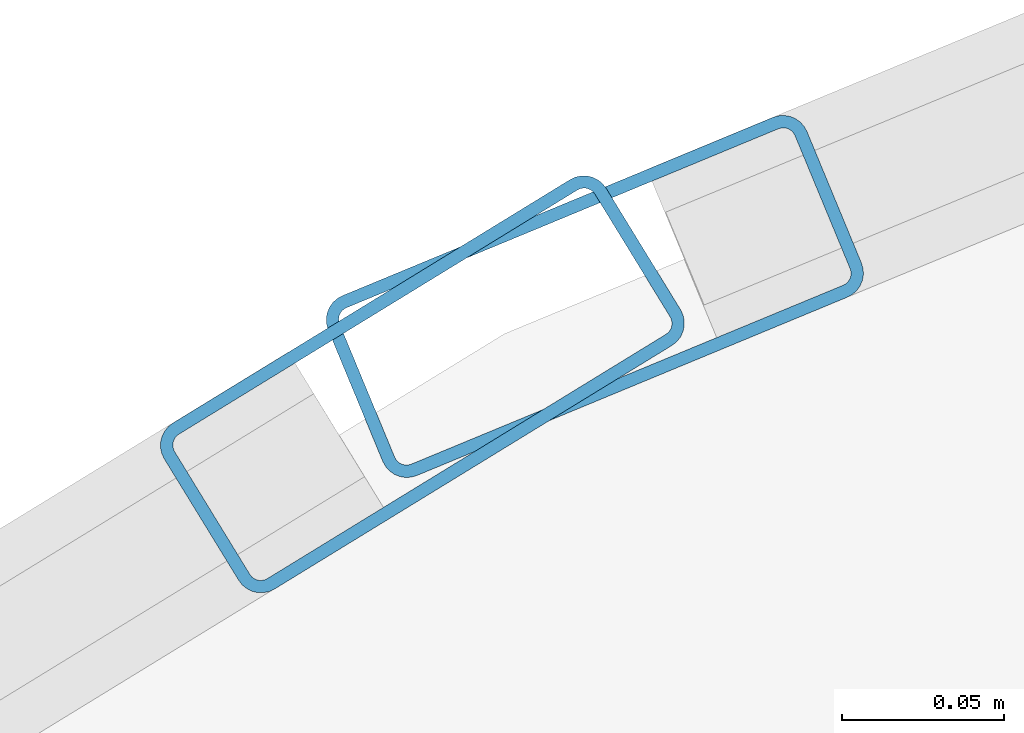
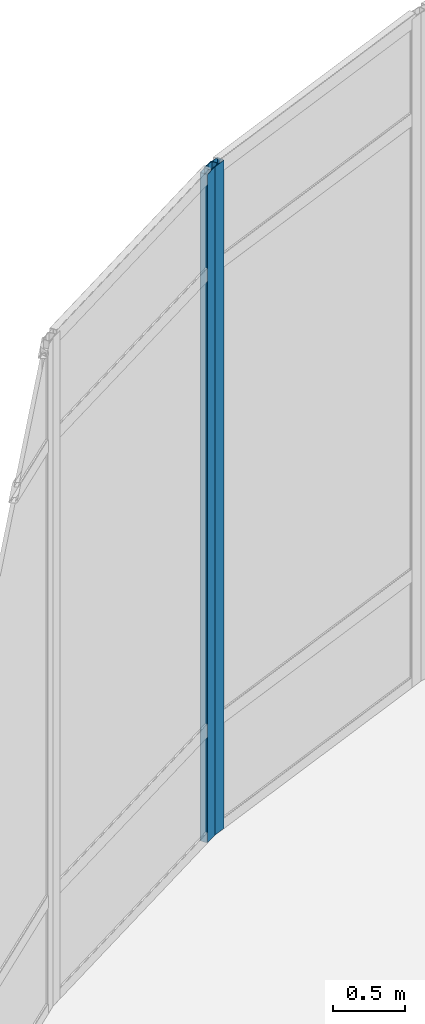
# One storey, part 12 of 82: 2 members, 2 elements without a shape of their own.
"""IFC4 building model written with IfcOpenShell, lengths in metres."""

from ifc_helpers import new_model, si_unit, derived_unit, direction, frame, origin, origin_2d, place, context, subcontext, project, spatial, hollow_rectangle, extrude, material, layer, layer_set, material_profile, profile_set, type_object, element, aggregate, save


model = new_model("IFC4")

# Units and contexts
model_context = context("Model", 3, precision=1e-05, world=origin(), true_north=direction((0.0, 1.0)))
body_context = subcontext(model_context, "Body", "Model", "MODEL_VIEW")
ifc_project = project(units=[si_unit("LENGTHUNIT", "METRE"), si_unit("AREAUNIT", "SQUARE_METRE"), si_unit("VOLUMEUNIT", "CUBIC_METRE"), si_unit("PLANEANGLEUNIT", "RADIAN"), si_unit("MASSUNIT", "GRAM", prefix="KILO"), derived_unit("THERMALTRANSMITTANCEUNIT", [(si_unit("MASSUNIT", "GRAM", prefix="KILO"), 1), (si_unit("TIMEUNIT", "SECOND"), -3), (si_unit("THERMODYNAMICTEMPERATUREUNIT", "KELVIN"), -1)])], contexts=[model_context])

# Site, building, storey
site_placement = place(None, origin())
site = spatial("IfcSite", under=ifc_project, at=site_placement, CompositionType="ELEMENT")
building_placement = place(site_placement, origin())
building = spatial("IfcBuilding", under=site, at=building_placement, Name="Qinzheling Arcade Emporium", CompositionType="ELEMENT")
storey_placement = place(building_placement, origin())
storey = spatial("IfcBuildingStorey", under=building, at=storey_placement, Name="L01", CompositionType="ELEMENT", Elevation=0.0)

# Curtain wall, member
ifc_material_1 = material(Name="Anodised aluminium and solar-control double glazing", Category="aluminium")
ifc_layer = layer(ifc_material_1, 0.159912109375, Name="Anodised aluminium and solar-control double glazing", Category="aluminium")
ifc_layer_set = layer_set([ifc_layer], Name="Anodised aluminium and solar-control double glazing")
curtain_wall_type = type_object("IfcCurtainWallType", Name="Curved Ribbon Sales Curtain Wall", PredefinedType="NOTDEFINED", material=ifc_layer_set)
curtain_wall_1_placement = place(storey_placement, origin())
curtain_wall_1 = element("IfcCurtainWall", 1, at=curtain_wall_1_placement, inside=storey, type_object=curtain_wall_type, Name="Curtain Wall CW-L01-024", PredefinedType="NOTDEFINED")
ifc_material_2 = material(Name="Anodised aluminium 6063-T6", Category="aluminium")
ifc_material_profile = material_profile(ifc_material_2, hollow_rectangle(XDim=0.06005859375, YDim=0.159912109375, WallThickness=0.00390625, InnerFilletRadius=0.00390625, OuterFilletRadius=0.008056640625, at=origin_2d()), Name="RHS 160x60x4", Category="aluminium")
ifc_profile_set = profile_set([ifc_material_profile], Name="Anodised aluminium 6063-T6")
member_type = type_object("IfcMemberType", Name="Curtain Wall Mullion RHS160x60", PredefinedType="MULLION", material=ifc_profile_set)
member_1_placement = place(storey_placement, frame((16.864501953125, 63.749267578125, 0.0), z_axis=(0.0, 0.0, 1.0), x_axis=(-0.522532172191, 0.852619568756, 0.0)))
member_1 = element("IfcMember", 2, at=member_1_placement, type_object=member_type, Name="CW02 mullion 2", PredefinedType="MULLION", context=body_context, shape_type="SweptSolid", body=[
    extrude(hollow_rectangle(XDim=0.06005859375, YDim=0.159912109375, WallThickness=0.00390625, InnerFilletRadius=0.00390625, OuterFilletRadius=0.008056640625, at=origin_2d()), origin(), (0.0, 0.0, 1.0), 5.659912109375),
])
aggregate(curtain_wall_1, [member_1])

curtain_wall_2_placement = place(storey_placement, origin())
curtain_wall_2 = element("IfcCurtainWall", 3, at=curtain_wall_2_placement, inside=storey, type_object=curtain_wall_type, Name="Curtain Wall CW-L01-025", PredefinedType="NOTDEFINED")
member_2_placement = place(storey_placement, frame((16.917724609375, 63.7763671875, 0.0), z_axis=(0.0, 0.0, 1.0), x_axis=(-0.382714431752, 0.923866691535, 0.0)))
member_2 = element("IfcMember", 4, at=member_2_placement, type_object=member_type, Name="CW02 mullion 1", PredefinedType="MULLION", context=body_context, shape_type="SweptSolid", body=[
    extrude(hollow_rectangle(XDim=0.06005859375, YDim=0.159912109375, WallThickness=0.00390625, InnerFilletRadius=0.00390625, OuterFilletRadius=0.008056640625, at=origin_2d()), origin(), (0.0, 0.0, 1.0), 5.659912109375),
])
aggregate(curtain_wall_2, [member_2])

save(model, "model.ifc")
